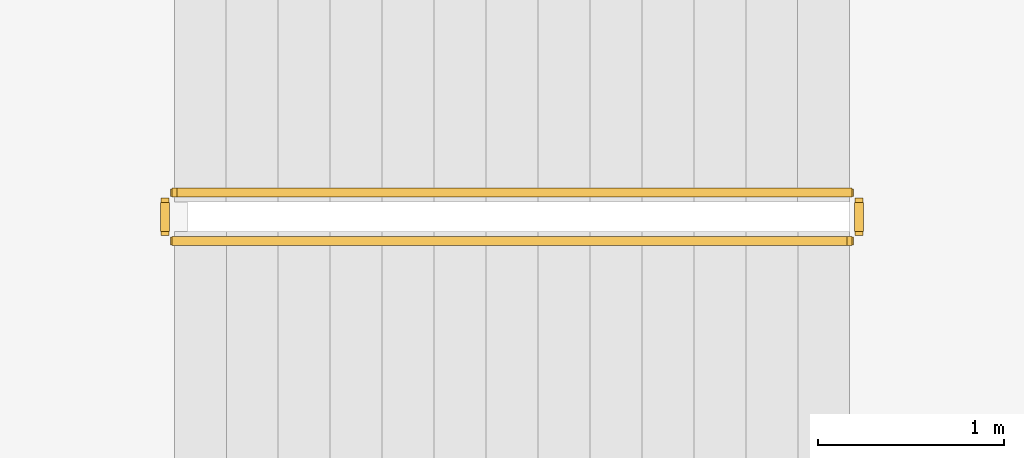
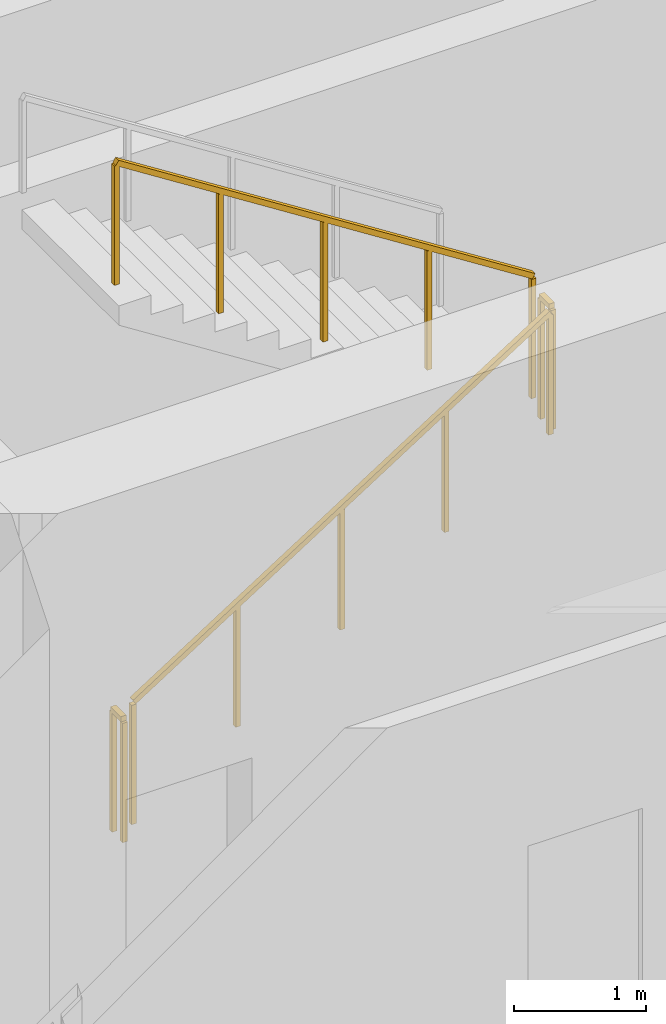
# One storey, part 10 of 12: 4 railings.
"""IFC4 building model written with IfcOpenShell, lengths in metres."""

from ifc_helpers import new_model, si_unit, direction, frame, origin, origin_2d, place, context, subcontext, project, spatial, rectangle, extrude, material, type_object, element, save


model = new_model("IFC4")

# Units and contexts
model_context = context("Model", 3, precision=1e-05, world=origin(), true_north=direction((0.0, 1.0)))
body_context = subcontext(model_context, "Body", "Model", "MODEL_VIEW")
ifc_project = project(units=[si_unit("LENGTHUNIT", "METRE"), si_unit("AREAUNIT", "SQUARE_METRE"), si_unit("VOLUMEUNIT", "CUBIC_METRE"), si_unit("PLANEANGLEUNIT", "RADIAN"), si_unit("MASSUNIT", "GRAM", prefix="KILO")], contexts=[model_context])

# Site, building, storey
site_placement = place(None, origin())
site = spatial("IfcSite", under=ifc_project, at=site_placement, CompositionType="ELEMENT")
building_placement = place(site_placement, origin())
building = spatial("IfcBuilding", under=site, at=building_placement, Name="Zarnavel Station Tower", CompositionType="ELEMENT")
storey_placement = place(building_placement, frame((0.0, 0.0, 5.39990234375)))
storey = spatial("IfcBuildingStorey", under=building, at=storey_placement, Name="L02", CompositionType="ELEMENT", Elevation=5.39990234375)

# Railings
ifc_material = material(Name="Painted Steel S355J2 Balustrade", Category="steel")
railing_type = type_object("IfcRailingType", Name="GR_INT_1150", PredefinedType="GUARDRAIL", material=ifc_material)
railing_1_placement = place(storey_placement, frame((39.35009765625, 29.570068359375, 0.1787109375)))
element("IfcRailing", 1, at=railing_1_placement, inside=storey, type_object=railing_type, Name="L02 ST3 stair guard 1", PredefinedType="GUARDRAIL", context=body_context, shape_type="SweptSolid", body=[
    extrude(rectangle(XDim=0.048095703125, YDim=0.048095703125, at=origin_2d()), frame((0.001708984375, 0.0, 1.126953125), z_axis=(0.843137146238, 0.0, 0.537698570422), x_axis=(0.0, 1.0, 0.0)), (0.0, 0.0, 1.0), 4.31298828125),
    extrude(rectangle(XDim=0.0419921875, YDim=0.0419921875, at=origin_2d()), origin(), (0.0, 0.0, 1.0), 1.101806640625),
    extrude(rectangle(XDim=0.0419921875, YDim=0.0419921875, at=origin_2d()), frame((0.909912109375, 0.0, 0.580322265625)), (0.0, 0.0, 1.0), 1.101806640625),
    extrude(rectangle(XDim=0.0419921875, YDim=0.0419921875, at=origin_2d()), frame((1.81982421875, 0.0, 1.16064453125)), (0.0, 0.0, 1.0), 1.101806640625),
    extrude(rectangle(XDim=0.0419921875, YDim=0.0419921875, at=origin_2d()), frame((2.72998046875, 0.0, 1.740966796875)), (0.0, 0.0, 1.0), 1.101806640625),
    extrude(rectangle(XDim=0.0419921875, YDim=0.0419921875, at=origin_2d()), frame((3.639892578125, 0.0, 2.3212890625)), (0.0, 0.0, 1.0), 1.101806640625),
])
railing_2_placement = place(storey_placement, frame((43.0400390625, 29.6201171875, 2.5)))
element("IfcRailing", 2, at=railing_2_placement, inside=storey, type_object=railing_type, Name="L02 ST3 stair guard 2", PredefinedType="GUARDRAIL", context=body_context, shape_type="SweptSolid", body=[
    extrude(rectangle(XDim=0.048095703125, YDim=0.048095703125, at=origin_2d()), frame((0.0, 0.001953125, 1.1259765625), z_axis=(0.0, 1.0, 0.0), x_axis=(-1.0, 0.0, 0.0)), (0.0, 0.0, 1.0), 0.156005859375),
    extrude(rectangle(XDim=0.0419921875, YDim=0.0419921875, at=origin_2d()), origin(), (0.0, 0.0, 1.0), 1.101806640625),
    extrude(rectangle(XDim=0.0419921875, YDim=0.0419921875, at=origin_2d()), frame((0.0, 0.159912109375, 0.0)), (0.0, 0.0, 1.0), 1.101806640625),
])
railing_3_placement = place(storey_placement, frame((42.989990234375, 29.830078125, 2.6787109375)))
element("IfcRailing", 3, at=railing_3_placement, inside=storey, type_object=railing_type, Name="L02 ST3 stair guard 3", PredefinedType="GUARDRAIL", context=body_context, shape_type="SweptSolid", body=[
    extrude(rectangle(XDim=0.048095703125, YDim=0.048095703125, at=origin_2d()), frame((-0.001708984375, 0.0, 1.126953125), z_axis=(-0.843137146238, 0.0, 0.537698570422), x_axis=(0.0, -1.0, 0.0)), (0.0, 0.0, 1.0), 4.31298828125),
    extrude(rectangle(XDim=0.0419921875, YDim=0.0419921875, at=origin_2d()), origin(), (0.0, 0.0, 1.0), 1.101806640625),
    extrude(rectangle(XDim=0.0419921875, YDim=0.0419921875, at=origin_2d()), frame((-0.909912109375, 0.0, 0.580322265625)), (0.0, 0.0, 1.0), 1.101806640625),
    extrude(rectangle(XDim=0.0419921875, YDim=0.0419921875, at=origin_2d()), frame((-1.81982421875, 0.0, 1.16064453125)), (0.0, 0.0, 1.0), 1.101806640625),
    extrude(rectangle(XDim=0.0419921875, YDim=0.0419921875, at=origin_2d()), frame((-2.72998046875, 0.0, 1.740966796875)), (0.0, 0.0, 1.0), 1.101806640625),
    extrude(rectangle(XDim=0.0419921875, YDim=0.0419921875, at=origin_2d()), frame((-3.639892578125, 0.0, 2.3212890625)), (0.0, 0.0, 1.0), 1.101806640625),
])
railing_4_placement = place(storey_placement, frame((39.300048828125, 29.6201171875, 0.0)))
element("IfcRailing", 4, at=railing_4_placement, inside=storey, type_object=railing_type, Name="L02 ST3 stair guard 4", PredefinedType="GUARDRAIL", context=body_context, shape_type="SweptSolid", body=[
    extrude(rectangle(XDim=0.048095703125, YDim=0.048095703125, at=origin_2d()), frame((0.0, 0.001953125, 1.1259765625), z_axis=(0.0, 1.0, 0.0), x_axis=(-1.0, 0.0, 0.0)), (0.0, 0.0, 1.0), 0.156005859375),
    extrude(rectangle(XDim=0.0419921875, YDim=0.0419921875, at=origin_2d()), origin(), (0.0, 0.0, 1.0), 1.101806640625),
    extrude(rectangle(XDim=0.0419921875, YDim=0.0419921875, at=origin_2d()), frame((0.0, 0.159912109375, 0.0)), (0.0, 0.0, 1.0), 1.101806640625),
])

save(model, "model.ifc")
